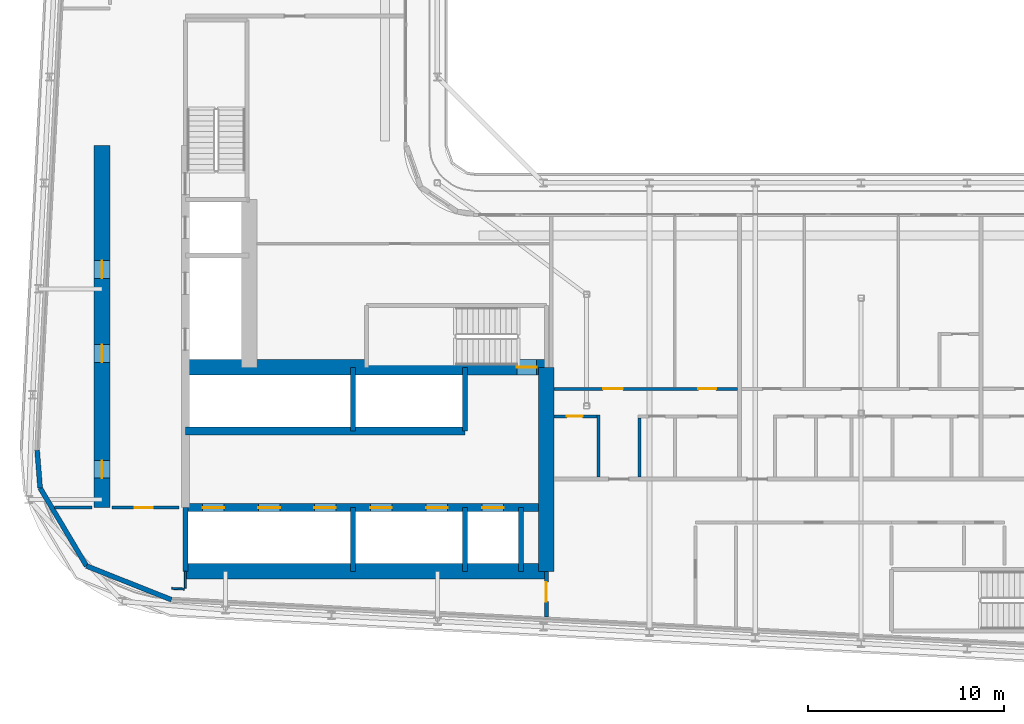
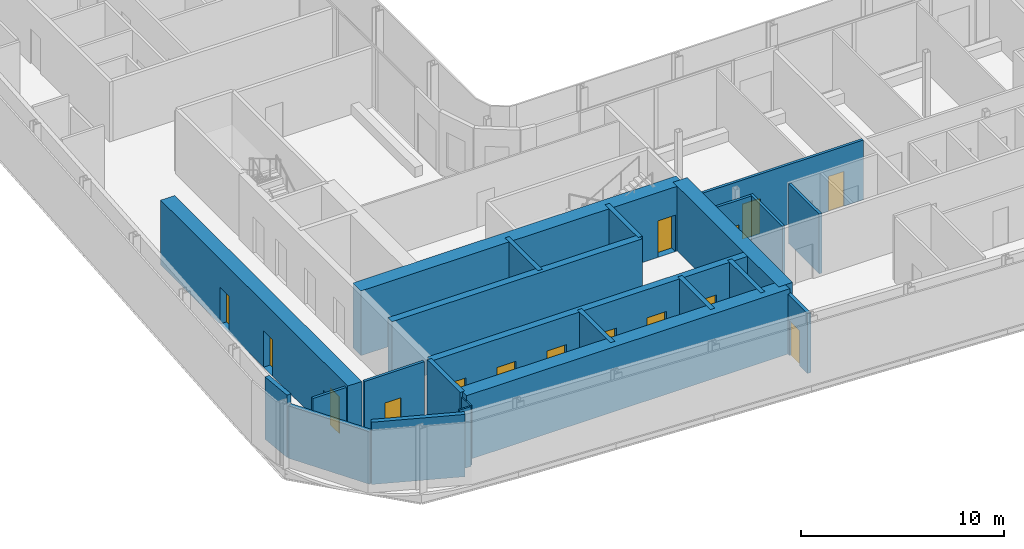
# One storey, part 14 of 29: 24 walls, 15 doors, 15 openings.
"""IFC4 building model written with IfcOpenShell, lengths in metres."""

from ifc_helpers import new_model, si_unit, direction, frame, frame_2d, origin, place, context, subcontext, project, spatial, rectangle, extrude, source, transform, mapped, material, layer, layer_set, type_object, element, fill, save


model = new_model("IFC4")

# Units and contexts
model_context = context("Model", 3, precision=1e-05, world=origin(), true_north=direction((0.0, 1.0)))
body_context = subcontext(model_context, "Body", "Model", "MODEL_VIEW")
ifc_project = project(units=[si_unit("LENGTHUNIT", "METRE"), si_unit("AREAUNIT", "SQUARE_METRE"), si_unit("VOLUMEUNIT", "CUBIC_METRE"), si_unit("PLANEANGLEUNIT", "RADIAN"), si_unit("MASSUNIT", "GRAM", prefix="KILO")], contexts=[model_context])

# Site, building, storey
site_placement = place(None, origin())
site = spatial("IfcSite", under=ifc_project, at=site_placement, CompositionType="ELEMENT")
building_placement = place(site_placement, origin())
building = spatial("IfcBuilding", under=site, at=building_placement, Name="Kheshtan School and Residences Tower", CompositionType="ELEMENT")
storey_placement = place(building_placement, frame((0.0, 0.0, 172.10009765625)))
storey = spatial("IfcBuildingStorey", under=building, at=storey_placement, Name="L40", CompositionType="ELEMENT", Elevation=172.10009765625)

# Wall, openings, doors
ifc_material_1 = material(Name="Concrete C50/60", Category="concrete")
ifc_layer_1 = layer(ifc_material_1, 0.39990234375)
ifc_layer_set_1 = layer_set([ifc_layer_1], Name="Core wall 400 Concrete C50/60")
wall_type_1 = type_object("IfcWallType", Name="Core wall 400 Concrete C50/60", PredefinedType="SHEAR", material=ifc_layer_set_1)
wall_1_placement = place(storey_placement, frame((34.75, 29.050048828125, 0.0), z_axis=(0.0, 0.0, 1.0), x_axis=(1.0, 0.0, 0.0)))
wall_1 = element("IfcWall", 1, at=wall_1_placement, inside=storey, type_object=wall_type_1, Name="Core wall CW-HALL-S1", PredefinedType="SHEAR", context=body_context, shape_type="SweptSolid", body=[
    extrude(rectangle(XDim=18.39990234375, YDim=0.39990234375, at=frame_2d((9.199951171875, 0.0))), origin(), (0.0, 0.0, 1.0), 3.89990234375),
])
opening_1_placement = place(wall_1_placement, frame((0.875, 0.0, 0.0)))
opening_1 = element("IfcOpeningElement", 2, at=opening_1_placement, cuts=wall_1, Name="Opening LD", PredefinedType="OPENING", context=body_context, shape_type="SweptSolid", body=[
    extrude(rectangle(XDim=1.10009765625, YDim=2.199951171875, at=frame_2d((0.550048828125, 1.10009765625))), frame((0.0, 0.2099609375, 0.0), z_axis=(0.0, -1.0, 0.0), x_axis=(1.0, 0.0, 0.0)), (0.0, 0.0, 1.0), 0.419921875),
])
opening_2_placement = place(wall_1_placement, frame((3.72509765625, 0.0, 0.0)))
opening_2 = element("IfcOpeningElement", 3, at=opening_2_placement, cuts=wall_1, Name="Opening LD", PredefinedType="OPENING", context=body_context, shape_type="SweptSolid", body=[
    extrude(rectangle(XDim=1.10009765625, YDim=2.199951171875, at=frame_2d((0.550048828125, 1.10009765625))), frame((0.0, 0.2099609375, 0.0), z_axis=(0.0, -1.0, 0.0), x_axis=(1.0, 0.0, 0.0)), (0.0, 0.0, 1.0), 0.419921875),
])
opening_3_placement = place(wall_1_placement, frame((6.574951171875, 0.0, 0.0)))
opening_3 = element("IfcOpeningElement", 4, at=opening_3_placement, cuts=wall_1, Name="Opening LD", PredefinedType="OPENING", context=body_context, shape_type="SweptSolid", body=[
    extrude(rectangle(XDim=1.10009765625, YDim=2.199951171875, at=frame_2d((0.550048828125, 1.10009765625))), frame((0.0, 0.2099609375, 0.0), z_axis=(0.0, -1.0, 0.0), x_axis=(1.0, 0.0, 0.0)), (0.0, 0.0, 1.0), 0.419921875),
])
opening_4_placement = place(wall_1_placement, frame((9.425048828125, 0.0, 0.0)))
opening_4 = element("IfcOpeningElement", 5, at=opening_4_placement, cuts=wall_1, Name="Opening LD", PredefinedType="OPENING", context=body_context, shape_type="SweptSolid", body=[
    extrude(rectangle(XDim=1.10009765625, YDim=2.199951171875, at=frame_2d((0.550048828125, 1.10009765625))), frame((0.0, 0.2099609375, 0.0), z_axis=(0.0, -1.0, 0.0), x_axis=(1.0, 0.0, 0.0)), (0.0, 0.0, 1.0), 0.419921875),
])
opening_5_placement = place(wall_1_placement, frame((12.27490234375, 0.0, 0.0)))
opening_5 = element("IfcOpeningElement", 6, at=opening_5_placement, cuts=wall_1, Name="Opening LD", PredefinedType="OPENING", context=body_context, shape_type="SweptSolid", body=[
    extrude(rectangle(XDim=1.10009765625, YDim=2.199951171875, at=frame_2d((0.550048828125, 1.10009765625))), frame((0.0, 0.2099609375, 0.0), z_axis=(0.0, -1.0, 0.0), x_axis=(1.0, 0.0, 0.0)), (0.0, 0.0, 1.0), 0.419921875),
])
opening_6_placement = place(wall_1_placement, frame((15.125, 0.0, 0.0)))
opening_6 = element("IfcOpeningElement", 7, at=opening_6_placement, cuts=wall_1, Name="Opening LD", PredefinedType="OPENING", context=body_context, shape_type="SweptSolid", body=[
    extrude(rectangle(XDim=1.10009765625, YDim=2.199951171875, at=frame_2d((0.550048828125, 1.10009765625))), frame((0.0, 0.2099609375, 0.0), z_axis=(0.0, -1.0, 0.0), x_axis=(1.0, 0.0, 0.0)), (0.0, 0.0, 1.0), 0.419921875),
])
ifc_material_2 = material(Name="Stainless steel door leaves", Category="steel")
door_type_1 = type_object("IfcDoorType", Name="Lift landing door 1100", OperationType="SLIDING_TO_LEFT", PredefinedType="DOOR", material=ifc_material_2)
shared_shape_1 = source(origin(), body_context, "Body", "SweptSolid", [
    extrude(rectangle(XDim=1.10009765625, YDim=2.199951171875, at=frame_2d((0.550048828125, 1.10009765625))), frame((0.0, 0.02490234375, 0.0), z_axis=(0.0, -1.0, 0.0), x_axis=(1.0, 0.0, 0.0)), (0.0, 0.0, 1.0), 0.050048828125),
])
door_1_placement = place(opening_1_placement, origin())
door_1 = element("IfcDoor", 8, at=door_1_placement, inside=storey, type_object=door_type_1, Name="Lift P7 landing door", OperationType="SLIDING_TO_LEFT", OverallHeight=2.199951171875, OverallWidth=1.10009765625, PredefinedType="DOOR", context=body_context, shape_type="MappedRepresentation", body=[
    mapped(shared_shape_1, transform((0.0, 0.0, 0.0), x_axis=(1.0, 0.0, 0.0), y_axis=(0.0, 1.0, 0.0), z_axis=(0.0, 0.0, 1.0), scale=1.0)),
])
fill(opening_1, door_1)
door_2_placement = place(opening_2_placement, origin())
door_2 = element("IfcDoor", 9, at=door_2_placement, inside=storey, type_object=door_type_1, Name="Lift P8 landing door", OperationType="SLIDING_TO_LEFT", OverallHeight=2.199951171875, OverallWidth=1.10009765625, PredefinedType="DOOR", context=body_context, shape_type="MappedRepresentation", body=[
    mapped(shared_shape_1, transform((0.0, 0.0, 0.0), x_axis=(1.0, 0.0, 0.0), y_axis=(0.0, 1.0, 0.0), z_axis=(0.0, 0.0, 1.0), scale=1.0)),
])
fill(opening_2, door_2)
door_3_placement = place(opening_3_placement, origin())
door_3 = element("IfcDoor", 10, at=door_3_placement, inside=storey, type_object=door_type_1, Name="Lift P9 landing door", OperationType="SLIDING_TO_LEFT", OverallHeight=2.199951171875, OverallWidth=1.10009765625, PredefinedType="DOOR", context=body_context, shape_type="MappedRepresentation", body=[
    mapped(shared_shape_1, transform((0.0, 0.0, 0.0), x_axis=(1.0, 0.0, 0.0), y_axis=(0.0, 1.0, 0.0), z_axis=(0.0, 0.0, 1.0), scale=1.0)),
])
fill(opening_3, door_3)
door_4_placement = place(opening_4_placement, origin())
door_4 = element("IfcDoor", 11, at=door_4_placement, inside=storey, type_object=door_type_1, Name="Lift P10 landing door", OperationType="SLIDING_TO_LEFT", OverallHeight=2.199951171875, OverallWidth=1.10009765625, PredefinedType="DOOR", context=body_context, shape_type="MappedRepresentation", body=[
    mapped(shared_shape_1, transform((0.0, 0.0, 0.0), x_axis=(1.0, 0.0, 0.0), y_axis=(0.0, 1.0, 0.0), z_axis=(0.0, 0.0, 1.0), scale=1.0)),
])
fill(opening_4, door_4)
door_5_placement = place(opening_5_placement, origin())
door_5 = element("IfcDoor", 12, at=door_5_placement, inside=storey, type_object=door_type_1, Name="Lift P11 landing door", OperationType="SLIDING_TO_LEFT", OverallHeight=2.199951171875, OverallWidth=1.10009765625, PredefinedType="DOOR", context=body_context, shape_type="MappedRepresentation", body=[
    mapped(shared_shape_1, transform((0.0, 0.0, 0.0), x_axis=(1.0, 0.0, 0.0), y_axis=(0.0, 1.0, 0.0), z_axis=(0.0, 0.0, 1.0), scale=1.0)),
])
fill(opening_5, door_5)
door_6_placement = place(opening_6_placement, origin())
door_6 = element("IfcDoor", 13, at=door_6_placement, inside=storey, type_object=door_type_1, Name="Lift FFL2 landing door", OperationType="SLIDING_TO_LEFT", OverallHeight=2.199951171875, OverallWidth=1.10009765625, PredefinedType="DOOR", context=body_context, shape_type="MappedRepresentation", body=[
    mapped(shared_shape_1, transform((0.0, 0.0, 0.0), x_axis=(1.0, 0.0, 0.0), y_axis=(0.0, 1.0, 0.0), z_axis=(0.0, 0.0, 1.0), scale=1.0)),
])
fill(opening_6, door_6)

# Walls
wall_2_placement = place(storey_placement, frame((34.75, 32.949951171875, 0.0), z_axis=(0.0, 0.0, 1.0), x_axis=(1.0, 0.0, 0.0)))
element("IfcWall", 14, at=wall_2_placement, inside=storey, type_object=wall_type_1, Name="Core wall CW-HALL-S2", PredefinedType="SHEAR", context=body_context, shape_type="SweptSolid", body=[
    extrude(rectangle(XDim=14.25, YDim=0.39990234375, at=frame_2d((7.125, 0.0))), origin(), (0.0, 0.0, 1.0), 3.89990234375),
])
ifc_material_3 = material(Name="Concrete C70/85", Category="concrete")
ifc_layer_2 = layer(ifc_material_3, 0.800048828125)
ifc_layer_set_2 = layer_set([ifc_layer_2], Name="Core wall 800 Concrete C70/85")
wall_type_2 = type_object("IfcWallType", Name="Core wall 800 Concrete C70/85", PredefinedType="SHEAR", material=ifc_layer_set_2)
wall_3_placement = place(storey_placement, frame((34.75, 25.800048828125, 0.0), z_axis=(0.0, 0.0, 1.0), x_axis=(1.0, 0.0, 0.0)))
element("IfcWall", 15, at=wall_3_placement, inside=storey, type_object=wall_type_2, Name="Core wall CW-REAR-S", PredefinedType="SHEAR", context=body_context, shape_type="SweptSolid", body=[
    extrude(rectangle(XDim=18.39990234375, YDim=0.800048828125, at=frame_2d((9.199951171875, 0.0))), origin(), (0.0, 0.0, 1.0), 3.89990234375),
])

# Wall, opening, door
wall_4_placement = place(storey_placement, frame((34.75, 36.199951171875, 0.0), z_axis=(0.0, 0.0, 1.0), x_axis=(1.0, 0.0, 0.0)))
wall_4 = element("IfcWall", 16, at=wall_4_placement, inside=storey, type_object=wall_type_2, Name="Core wall CW-FRONT-S", PredefinedType="SHEAR", context=body_context, shape_type="SweptSolid", body=[
    extrude(rectangle(XDim=18.39990234375, YDim=0.800048828125, at=frame_2d((9.199951171875, 0.0))), origin(), (0.0, 0.0, 1.0), 3.89990234375),
])
opening_7_placement = place(wall_4_placement, frame((16.89990234375, 0.0, 0.0)))
opening_7 = element("IfcOpeningElement", 17, at=opening_7_placement, cuts=wall_4, Name="Opening ST1D", PredefinedType="OPENING", context=body_context, shape_type="SweptSolid", body=[
    extrude(rectangle(XDim=1.0, YDim=2.199951171875, at=frame_2d((0.5, 1.10009765625))), frame((0.0, 0.41015625, 0.0), z_axis=(0.0, -1.0, 0.0), x_axis=(1.0, 0.0, 0.0)), (0.0, 0.0, 1.0), 0.820068359375),
])
ifc_material_4 = material(Name="Steel door leaf, galvanised", Category="steel")
door_type_2 = type_object("IfcDoorType", Name="Stair door 1100 steel 90 min", OperationType="SINGLE_SWING_LEFT", PredefinedType="DOOR", material=ifc_material_4)
shared_shape_2 = source(origin(), body_context, "Body", "SweptSolid", [
    extrude(rectangle(XDim=1.0, YDim=2.199951171875, at=frame_2d((0.5, 1.10009765625))), frame((0.0, 0.02490234375, 0.0), z_axis=(0.0, -1.0, 0.0), x_axis=(1.0, 0.0, 0.0)), (0.0, 0.0, 1.0), 0.050048828125),
])
door_7_placement = place(opening_7_placement, origin())
door_7 = element("IfcDoor", 18, at=door_7_placement, inside=storey, type_object=door_type_2, Name="Stair ST1 door", OperationType="SINGLE_SWING_RIGHT", OverallHeight=2.199951171875, OverallWidth=1.0, PredefinedType="DOOR", context=body_context, shape_type="MappedRepresentation", body=[
    mapped(shared_shape_2, transform((0.0, 0.0, 0.0), x_axis=(1.0, 0.0, 0.0), y_axis=(0.0, 1.0, 0.0), z_axis=(0.0, 0.0, 1.0), scale=1.0)),
])
fill(opening_7, door_7)

# Wall, openings, doors
wall_5_placement = place(storey_placement, frame((30.5, 29.050048828125, 0.0), z_axis=(0.0, 0.0, 1.0), x_axis=(0.0, 1.0, 0.0)))
wall_5 = element("IfcWall", 19, at=wall_5_placement, inside=storey, type_object=wall_type_2, Name="Core wall CW-REAR-W", PredefinedType="SHEAR", context=body_context, shape_type="SweptSolid", body=[
    extrude(rectangle(XDim=18.449951171875, YDim=0.800048828125, at=frame_2d((9.22509765625, 0.0))), origin(), (0.0, 0.0, 1.0), 3.89990234375),
])
opening_8_placement = place(wall_5_placement, frame((1.5, 0.0, 0.0)))
opening_8 = element("IfcOpeningElement", 20, at=opening_8_placement, cuts=wall_5, Name="Opening SR90", PredefinedType="OPENING", context=body_context, shape_type="SweptSolid", body=[
    extrude(rectangle(XDim=0.89990234375, YDim=2.199951171875, at=frame_2d((0.449951171875, 1.10009765625))), frame((0.0, 0.41015625, 0.0), z_axis=(0.0, -1.0, 0.0), x_axis=(1.0, 0.0, 0.0)), (0.0, 0.0, 1.0), 0.820068359375),
])
opening_9_placement = place(wall_5_placement, frame((7.406005859375, 0.0, 0.0)))
opening_9 = element("IfcOpeningElement", 21, at=opening_9_placement, cuts=wall_5, Name="Opening SR90", PredefinedType="OPENING", context=body_context, shape_type="SweptSolid", body=[
    extrude(rectangle(XDim=0.89990234375, YDim=2.199951171875, at=frame_2d((0.449951171875, 1.10009765625))), frame((0.0, 0.41015625, 0.0), z_axis=(0.0, -1.0, 0.0), x_axis=(1.0, 0.0, 0.0)), (0.0, 0.0, 1.0), 0.820068359375),
])
opening_10_placement = place(wall_5_placement, frame((11.68798828125, 0.0, 0.0)))
opening_10 = element("IfcOpeningElement", 22, at=opening_10_placement, cuts=wall_5, Name="Opening SR90", PredefinedType="OPENING", context=body_context, shape_type="SweptSolid", body=[
    extrude(rectangle(XDim=0.89990234375, YDim=2.199951171875, at=frame_2d((0.449951171875, 1.10009765625))), frame((0.0, 0.41015625, 0.0), z_axis=(0.0, -1.0, 0.0), x_axis=(1.0, 0.0, 0.0)), (0.0, 0.0, 1.0), 0.820068359375),
])
door_type_3 = type_object("IfcDoorType", Name="Service room door 900 steel 90 min", OperationType="SINGLE_SWING_LEFT", PredefinedType="DOOR", material=ifc_material_4)
shared_shape_3 = source(origin(), body_context, "Body", "SweptSolid", [
    extrude(rectangle(XDim=0.89990234375, YDim=2.199951171875, at=frame_2d((0.449951171875, 1.10009765625))), frame((0.0, 0.02490234375, 0.0), z_axis=(0.0, -1.0, 0.0), x_axis=(1.0, 0.0, 0.0)), (0.0, 0.0, 1.0), 0.050048828125),
])
door_8_placement = place(opening_8_placement, origin())
door_8 = element("IfcDoor", 23, at=door_8_placement, inside=storey, type_object=door_type_3, Name="Service room door", OperationType="SINGLE_SWING_LEFT", OverallHeight=2.199951171875, OverallWidth=0.89990234375, PredefinedType="DOOR", context=body_context, shape_type="MappedRepresentation", body=[
    mapped(shared_shape_3, transform((0.0, 0.0, 0.0), x_axis=(1.0, 0.0, 0.0), y_axis=(0.0, 1.0, 0.0), z_axis=(0.0, 0.0, 1.0), scale=1.0)),
])
fill(opening_8, door_8)
door_9_placement = place(opening_9_placement, origin())
door_9 = element("IfcDoor", 24, at=door_9_placement, inside=storey, type_object=door_type_3, Name="Service room door", OperationType="SINGLE_SWING_RIGHT", OverallHeight=2.199951171875, OverallWidth=0.89990234375, PredefinedType="DOOR", context=body_context, shape_type="MappedRepresentation", body=[
    mapped(shared_shape_3, transform((0.0, 0.0, 0.0), x_axis=(1.0, 0.0, 0.0), y_axis=(0.0, 1.0, 0.0), z_axis=(0.0, 0.0, 1.0), scale=1.0)),
])
fill(opening_9, door_9)
door_10_placement = place(opening_10_placement, origin())
door_10 = element("IfcDoor", 25, at=door_10_placement, inside=storey, type_object=door_type_3, Name="Service room door", OperationType="SINGLE_SWING_LEFT", OverallHeight=2.199951171875, OverallWidth=0.89990234375, PredefinedType="DOOR", context=body_context, shape_type="MappedRepresentation", body=[
    mapped(shared_shape_3, transform((0.0, 0.0, 0.0), x_axis=(1.0, 0.0, 0.0), y_axis=(0.0, 1.0, 0.0), z_axis=(0.0, 0.0, 1.0), scale=1.0)),
])
fill(opening_10, door_10)

# Wall
wall_6_placement = place(storey_placement, frame((53.14990234375, 25.800048828125, 0.0), z_axis=(0.0, 0.0, 1.0), x_axis=(0.0, 1.0, 0.0)))
element("IfcWall", 26, at=wall_6_placement, inside=storey, type_object=wall_type_2, Name="Core wall CW-EAST", PredefinedType="SHEAR", context=body_context, shape_type="SweptSolid", body=[
    extrude(rectangle(XDim=10.39990234375, YDim=0.800048828125, at=frame_2d((5.199951171875, 0.0))), origin(), (0.0, 0.0, 1.0), 3.89990234375),
])

# Wall, opening, door
ifc_material_5 = material(Name="Gypsum board on steel studs with fire boards", Category="steel")
ifc_layer_3 = layer(ifc_material_5, 0.199951171875)
ifc_layer_set_3 = layer_set([ifc_layer_3], Name="Corridor wall 200")
wall_type_3 = type_object("IfcWallType", Name="Corridor wall 200", PredefinedType="PARTITIONING", material=ifc_layer_set_3)
wall_7_placement = place(storey_placement, frame((53.14990234375, 23.47216796875, 0.0), z_axis=(0.0, 0.0, 1.0), x_axis=(0.0, 1.0, 0.0)))
wall_7 = element("IfcWall", 27, at=wall_7_placement, inside=storey, type_object=wall_type_3, Name="Partition L40-035", PredefinedType="PARTITIONING", context=body_context, shape_type="SweptSolid", body=[
    extrude(rectangle(XDim=2.327880859375, YDim=0.199951171875, at=frame_2d((1.1640625, 0.0))), origin(), (0.0, 0.0, 1.0), 3.599853515625),
])
opening_11_placement = place(wall_7_placement, frame((0.783935546875, 0.0, 0.0)))
opening_11 = element("IfcOpeningElement", 28, at=opening_11_placement, cuts=wall_7, Name="Opening D39-050", PredefinedType="OPENING", context=body_context, shape_type="SweptSolid", body=[
    extrude(rectangle(XDim=1.0, YDim=2.10009765625, at=frame_2d((0.5, 1.050048828125))), frame((0.0, 0.10986328125, 0.0), z_axis=(0.0, -1.0, 0.0), x_axis=(1.0, 0.0, 0.0)), (0.0, 0.0, 1.0), 0.219970703125),
])
ifc_material_6 = material(Name="Steel-framed fire-resisting door leaf", Category="steel")
door_type_4 = type_object("IfcDoorType", Name="Fire door FD60 1000 x 2100", OperationType="SINGLE_SWING_LEFT", PredefinedType="DOOR", material=ifc_material_6)
shared_shape_4 = source(origin(), body_context, "Body", "SweptSolid", [
    extrude(rectangle(XDim=1.0, YDim=2.10009765625, at=frame_2d((0.5, 1.050048828125))), frame((0.0, 0.02490234375, 0.0), z_axis=(0.0, -1.0, 0.0), x_axis=(1.0, 0.0, 0.0)), (0.0, 0.0, 1.0), 0.050048828125),
])
door_11_placement = place(opening_11_placement, origin())
door_11 = element("IfcDoor", 29, at=door_11_placement, inside=storey, type_object=door_type_4, Name="Door D39-050", OperationType="SINGLE_SWING_RIGHT", OverallHeight=2.10009765625, OverallWidth=1.0, PredefinedType="DOOR", context=body_context, shape_type="MappedRepresentation", body=[
    mapped(shared_shape_4, transform((0.0, 0.0, 0.0), x_axis=(1.0, 0.0, 0.0), y_axis=(0.0, 1.0, 0.0), z_axis=(0.0, 0.0, 1.0), scale=1.0)),
])
fill(opening_11, door_11)

# Walls
ifc_material_7 = material(Name="Concrete C40/50 with ceramic cladding and mineral wool insulation", Category="concrete")
ifc_layer_4 = layer(ifc_material_7, 0.25)
ifc_layer_set_4 = layer_set([ifc_layer_4], Name="External wall 250 ceramic clad")
wall_type_4 = type_object("IfcWallType", Name="External wall 250 ceramic clad", PredefinedType="SOLIDWALL", material=ifc_layer_set_4)
wall_8_placement = place(storey_placement, frame((34.0390625, 24.35302734375, 0.0), z_axis=(0.0, 0.0, 1.0), x_axis=(-0.929352825399, 0.369192803184, 0.0)))
element("IfcWall", 30, at=wall_8_placement, inside=storey, type_object=wall_type_4, Name="External wall L40 1", PredefinedType="SOLIDWALL", context=body_context, shape_type="SweptSolid", body=[
    extrude(rectangle(XDim=4.656005859375, YDim=0.25, at=frame_2d((2.328125, 0.0))), origin(), (0.0, 0.0, 1.0), 3.75),
])
wall_9_placement = place(storey_placement, frame((29.7119140625, 26.072021484375, 0.0), z_axis=(0.0, 0.0, 1.0), x_axis=(-0.511028049012, 0.859564036662, 0.0)))
element("IfcWall", 31, at=wall_9_placement, inside=storey, type_object=wall_type_4, Name="External wall L40 2", PredefinedType="SOLIDWALL", context=body_context, shape_type="SweptSolid", body=[
    extrude(rectangle(XDim=4.633544921875, YDim=0.25, at=frame_2d((2.31689453125, 0.0))), origin(), (0.0, 0.0, 1.0), 3.14697265625),
])
wall_10_placement = place(storey_placement, frame((27.343994140625, 30.054931640625, 0.0), z_axis=(0.0, 0.0, 1.0), x_axis=(-0.077571675317, 0.99698677784, 0.0)))
element("IfcWall", 32, at=wall_10_placement, inside=storey, type_object=wall_type_4, Name="External wall L40 3", PredefinedType="SOLIDWALL", context=body_context, shape_type="SweptSolid", body=[
    extrude(rectangle(XDim=1.919921875, YDim=0.25, at=frame_2d((0.9599609375, 0.0))), origin(), (0.0, 0.0, 1.0), 3.75),
])
ifc_material_8 = material(Name="Gypsum board on steel studs", Category="steel")
ifc_layer_5 = layer(ifc_material_8, 0.10009765625)
ifc_layer_set_5 = layer_set([ifc_layer_5], Name="Gypsum partition 100")
wall_type_5 = type_object("IfcWallType", Name="Gypsum partition 100", PredefinedType="PARTITIONING", material=ifc_layer_set_5)
wall_11_placement = place(storey_placement, frame((34.06298828125, 24.928955078125, 0.0), z_axis=(0.0, 0.0, 1.0), x_axis=(0.998663963404, -0.051674831376, 0.0)))
element("IfcWall", 33, at=wall_11_placement, inside=storey, type_object=wall_type_5, Name="Partition L40-016", PredefinedType="PARTITIONING", context=body_context, shape_type="SweptSolid", body=[
    extrude(rectangle(XDim=0.6376953125, YDim=0.10009765625, at=frame_2d((0.31884765625, 0.0))), origin(), (0.0, 0.0, 1.0), 3.599853515625),
])
wall_12_placement = place(storey_placement, frame((34.75, 24.94189453125, 0.0), z_axis=(0.0, 0.0, 1.0), x_axis=(0.0, 1.0, 0.0)))
element("IfcWall", 34, at=wall_12_placement, inside=storey, type_object=wall_type_5, Name="Partition L40-017", PredefinedType="PARTITIONING", context=body_context, shape_type="SweptSolid", body=[
    extrude(rectangle(XDim=0.858154296875, YDim=0.10009765625, at=frame_2d((0.42919921875, 0.0))), origin(), (0.0, 0.0, 1.0), 3.599853515625),
])
ifc_material_9 = material(Name="Fire-board shaft wall system")
ifc_layer_6 = layer(ifc_material_9, 0.14990234375)
ifc_layer_set_6 = layer_set([ifc_layer_6], Name="Service room wall 150")
wall_type_6 = type_object("IfcWallType", Name="Service room wall 150", PredefinedType="PARTITIONING", material=ifc_layer_set_6)
wall_13_placement = place(storey_placement, frame((28.089111328125, 29.050048828125, 0.0), z_axis=(0.0, 0.0, 1.0), x_axis=(1.0, 0.0, 0.0)))
element("IfcWall", 35, at=wall_13_placement, inside=storey, type_object=wall_type_6, Name="Service room wall", PredefinedType="PARTITIONING", context=body_context, shape_type="SweptSolid", body=[
    extrude(rectangle(XDim=1.890869140625, YDim=0.14990234375, at=frame_2d((0.9453125, 0.0))), origin(), (0.0, 0.0, 1.0), 3.89990234375),
])

# Wall, opening, door
wall_14_placement = place(storey_placement, frame((31.02001953125, 29.050048828125, 0.0), z_axis=(0.0, 0.0, 1.0), x_axis=(1.0, 0.0, 0.0)))
wall_14 = element("IfcWall", 36, at=wall_14_placement, inside=storey, type_object=wall_type_6, Name="Service room wall", PredefinedType="PARTITIONING", context=body_context, shape_type="SweptSolid", body=[
    extrude(rectangle(XDim=3.409912109375, YDim=0.14990234375, at=frame_2d((1.705078125, 0.0))), origin(), (0.0, 0.0, 1.0), 3.89990234375),
])
opening_12_placement = place(wall_14_placement, frame((1.155029296875, 0.0, 0.0)))
opening_12 = element("IfcOpeningElement", 37, at=opening_12_placement, cuts=wall_14, Name="Opening SR90", PredefinedType="OPENING", context=body_context, shape_type="SweptSolid", body=[
    extrude(rectangle(XDim=0.89990234375, YDim=2.199951171875, at=frame_2d((0.449951171875, 1.10009765625))), frame((0.0, 0.0849609375, 0.0), z_axis=(0.0, -1.0, 0.0), x_axis=(1.0, 0.0, 0.0)), (0.0, 0.0, 1.0), 0.169921875),
])
door_12_placement = place(opening_12_placement, origin())
door_12 = element("IfcDoor", 38, at=door_12_placement, inside=storey, type_object=door_type_3, Name="Service room door", OperationType="SINGLE_SWING_LEFT", OverallHeight=2.199951171875, OverallWidth=0.89990234375, PredefinedType="DOOR", context=body_context, shape_type="MappedRepresentation", body=[
    mapped(shared_shape_3, transform((0.0, 0.0, 0.0), x_axis=(1.0, 0.0, 0.0), y_axis=(0.0, 1.0, 0.0), z_axis=(0.0, 0.0, 1.0), scale=1.0)),
])
fill(opening_12, door_12)

# Walls
ifc_layer_7 = layer(ifc_material_9, 0.25)
ifc_layer_set_7 = layer_set([ifc_layer_7], Name="Shaft lining wall 250")
wall_type_7 = type_object("IfcWallType", Name="Shaft lining wall 250", PredefinedType="PARTITIONING", material=ifc_layer_set_7)
for number, where, z_axis, x_axis, name in (
    (39, (34.75, 25.800048828125, 0.0), (0.0, 0.0, 1.0), (0.0, 1.0, 0.0), "Shaft lining wall"),
    (40, (43.300048828125, 25.800048828125, 0.0), (0.0, 0.0, 1.0), (0.0, 1.0, 0.0), "Shaft lining wall"),
    (41, (43.300048828125, 32.949951171875, 0.0), (0.0, 0.0, 1.0), (0.0, 1.0, 0.0), "Shaft lining wall"),
    (42, (49.0, 25.800048828125, 0.0), (0.0, 0.0, 1.0), (0.0, 1.0, 0.0), "Shaft lining wall"),
    (43, (49.0, 32.949951171875, 0.0), (0.0, 0.0, 1.0), (0.0, 1.0, 0.0), "Shaft lining wall"),
    (44, (51.85009765625, 25.800048828125, 0.0), (0.0, 0.0, 1.0), (0.0, 1.0, 0.0), "Shaft lining wall"),
):
    element("IfcWall", number, at=place(storey_placement, frame(where, z_axis=z_axis, x_axis=x_axis)), inside=storey, type_object=wall_type_7, Name=name, PredefinedType="PARTITIONING", context=body_context, shape_type="SweptSolid", body=[
        extrude(rectangle(XDim=3.25, YDim=0.25, at=frame_2d((1.625, 0.0))), origin(), (0.0, 0.0, 1.0), 3.89990234375),
    ])

# Wall, opening, door
ifc_material_10 = material(Name="Moisture-resistant gypsum board on steel studs", Category="steel")
ifc_layer_8 = layer(ifc_material_10, 0.14990234375)
ifc_layer_set_8 = layer_set([ifc_layer_8], Name="Wet-room partition 150")
wall_type_8 = type_object("IfcWallType", Name="Wet-room partition 150", PredefinedType="PARTITIONING", material=ifc_layer_set_8)
wall_15_placement = place(storey_placement, frame((53.549072265625, 33.699951171875, 0.0), z_axis=(0.0, 0.0, 1.0), x_axis=(1.0, 0.0, 0.0)))
wall_15 = element("IfcWall", 45, at=wall_15_placement, inside=storey, type_object=wall_type_8, Name="Partition L40-038", PredefinedType="PARTITIONING", context=body_context, shape_type="SweptSolid", body=[
    extrude(rectangle(XDim=2.176025390625, YDim=0.14990234375, at=frame_2d((1.087890625, 0.0))), origin(), (0.0, 0.0, 1.0), 3.599853515625),
])
opening_13_placement = place(wall_15_placement, frame((0.65087890625, 0.0, 0.0)))
opening_13 = element("IfcOpeningElement", 46, at=opening_13_placement, cuts=wall_15, Name="Opening D39-001", PredefinedType="OPENING", context=body_context, shape_type="SweptSolid", body=[
    extrude(rectangle(XDim=0.800048828125, YDim=2.10009765625, at=frame_2d((0.39990234375, 1.050048828125))), frame((0.0, 0.0849609375, 0.0), z_axis=(0.0, -1.0, 0.0), x_axis=(1.0, 0.0, 0.0)), (0.0, 0.0, 1.0), 0.169921875),
])
ifc_material_11 = material(Name="Veneered timber door leaf", Category="wood")
door_type_5 = type_object("IfcDoorType", Name="Door 800 x 2100", OperationType="SINGLE_SWING_LEFT", PredefinedType="DOOR", material=ifc_material_11)
shared_shape_5 = source(origin(), body_context, "Body", "SweptSolid", [
    extrude(rectangle(XDim=0.800048828125, YDim=2.10009765625, at=frame_2d((0.39990234375, 1.050048828125))), frame((0.0, 0.02490234375, 0.0), z_axis=(0.0, -1.0, 0.0), x_axis=(1.0, 0.0, 0.0)), (0.0, 0.0, 1.0), 0.050048828125),
])
door_13_placement = place(opening_13_placement, origin())
door_13 = element("IfcDoor", 47, at=door_13_placement, inside=storey, type_object=door_type_5, Name="Door D39-001", OperationType="SINGLE_SWING_RIGHT", OverallHeight=2.10009765625, OverallWidth=0.800048828125, PredefinedType="DOOR", context=body_context, shape_type="MappedRepresentation", body=[
    mapped(shared_shape_5, transform((0.0, 0.0, 0.0), x_axis=(1.0, 0.0, 0.0), y_axis=(0.0, 1.0, 0.0), z_axis=(0.0, 0.0, 1.0), scale=1.0)),
])
fill(opening_13, door_13)

# Wall, openings, doors
wall_16_placement = place(storey_placement, frame((53.549072265625, 35.10009765625, 0.0), z_axis=(0.0, 0.0, 1.0), x_axis=(1.0, 0.0, 0.0)))
wall_16 = element("IfcWall", 48, at=wall_16_placement, inside=storey, type_object=wall_type_8, Name="Partition L40-039", PredefinedType="PARTITIONING", context=body_context, shape_type="SweptSolid", body=[
    extrude(rectangle(XDim=9.350830078125, YDim=0.14990234375, at=frame_2d((4.67529296875, 0.0))), origin(), (0.0, 0.0, 1.0), 3.599853515625),
])
opening_14_placement = place(wall_16_placement, frame((7.35107421875, 0.0, 0.0)))
opening_14 = element("IfcOpeningElement", 49, at=opening_14_placement, cuts=wall_16, Name="Opening D39-002", PredefinedType="OPENING", context=body_context, shape_type="SweptSolid", body=[
    extrude(rectangle(XDim=0.89990234375, YDim=2.10009765625, at=frame_2d((0.449951171875, 1.050048828125))), frame((0.0, 0.0849609375, 0.0), z_axis=(0.0, -1.0, 0.0), x_axis=(1.0, 0.0, 0.0)), (0.0, 0.0, 1.0), 0.169921875),
])
opening_15_placement = place(wall_16_placement, frame((2.5009765625, 0.0, 0.0)))
opening_15 = element("IfcOpeningElement", 50, at=opening_15_placement, cuts=wall_16, Name="Opening D39-005", PredefinedType="OPENING", context=body_context, shape_type="SweptSolid", body=[
    extrude(rectangle(XDim=1.0, YDim=2.10009765625, at=frame_2d((0.5, 1.050048828125))), frame((0.0, 0.0849609375, 0.0), z_axis=(0.0, -1.0, 0.0), x_axis=(1.0, 0.0, 0.0)), (0.0, 0.0, 1.0), 0.169921875),
])
door_type_6 = type_object("IfcDoorType", Name="Door 1000 x 2100", OperationType="SINGLE_SWING_LEFT", PredefinedType="DOOR", material=ifc_material_11)
shared_shape_6 = source(origin(), body_context, "Body", "SweptSolid", [
    extrude(rectangle(XDim=1.0, YDim=2.10009765625, at=frame_2d((0.5, 1.050048828125))), frame((0.0, 0.02490234375, 0.0), z_axis=(0.0, -1.0, 0.0), x_axis=(1.0, 0.0, 0.0)), (0.0, 0.0, 1.0), 0.050048828125),
])
door_14_placement = place(opening_15_placement, origin())
door_14 = element("IfcDoor", 51, at=door_14_placement, inside=storey, type_object=door_type_6, Name="Door D39-005", OperationType="SINGLE_SWING_RIGHT", OverallHeight=2.10009765625, OverallWidth=1.0, PredefinedType="DOOR", context=body_context, shape_type="MappedRepresentation", body=[
    mapped(shared_shape_6, transform((0.0, 0.0, 0.0), x_axis=(1.0, 0.0, 0.0), y_axis=(0.0, 1.0, 0.0), z_axis=(0.0, 0.0, 1.0), scale=1.0)),
])
fill(opening_15, door_14)
door_type_7 = type_object("IfcDoorType", Name="Door 900 x 2100", OperationType="SINGLE_SWING_LEFT", PredefinedType="DOOR", material=ifc_material_11)
shared_shape_7 = source(origin(), body_context, "Body", "SweptSolid", [
    extrude(rectangle(XDim=0.89990234375, YDim=2.10009765625, at=frame_2d((0.449951171875, 1.050048828125))), frame((0.0, 0.02490234375, 0.0), z_axis=(0.0, -1.0, 0.0), x_axis=(1.0, 0.0, 0.0)), (0.0, 0.0, 1.0), 0.050048828125),
])
door_15_placement = place(opening_14_placement, origin())
door_15 = element("IfcDoor", 52, at=door_15_placement, inside=storey, type_object=door_type_7, Name="Door D39-002", OperationType="SINGLE_SWING_LEFT", OverallHeight=2.10009765625, OverallWidth=0.89990234375, PredefinedType="DOOR", context=body_context, shape_type="MappedRepresentation", body=[
    mapped(shared_shape_7, transform((0.0, 0.0, 0.0), x_axis=(1.0, 0.0, 0.0), y_axis=(0.0, 1.0, 0.0), z_axis=(0.0, 0.0, 1.0), scale=1.0)),
])
fill(opening_14, door_15)

# Walls
wall_17_placement = place(storey_placement, frame((55.800048828125, 30.60009765625, 0.0), z_axis=(0.0, 0.0, 1.0), x_axis=(0.0, 1.0, 0.0)))
element("IfcWall", 53, at=wall_17_placement, inside=storey, type_object=wall_type_8, Name="Partition L40-040", PredefinedType="PARTITIONING", context=body_context, shape_type="SweptSolid", body=[
    extrude(rectangle(XDim=3.1748046875, YDim=0.14990234375, at=frame_2d((1.58740234375, 0.0))), origin(), (0.0, 0.0, 1.0), 3.599853515625),
])
wall_18_placement = place(storey_placement, frame((57.89990234375, 30.60009765625, 0.0), z_axis=(0.0, 0.0, 1.0), x_axis=(0.0, 1.0, 0.0)))
element("IfcWall", 54, at=wall_18_placement, inside=storey, type_object=wall_type_8, Name="Partition L40-042", PredefinedType="PARTITIONING", context=body_context, shape_type="SweptSolid", body=[
    extrude(rectangle(XDim=3.02490234375, YDim=0.14990234375, at=frame_2d((1.512451171875, 0.0))), origin(), (0.0, 0.0, 1.0), 3.599853515625),
])

save(model, "model.ifc")
